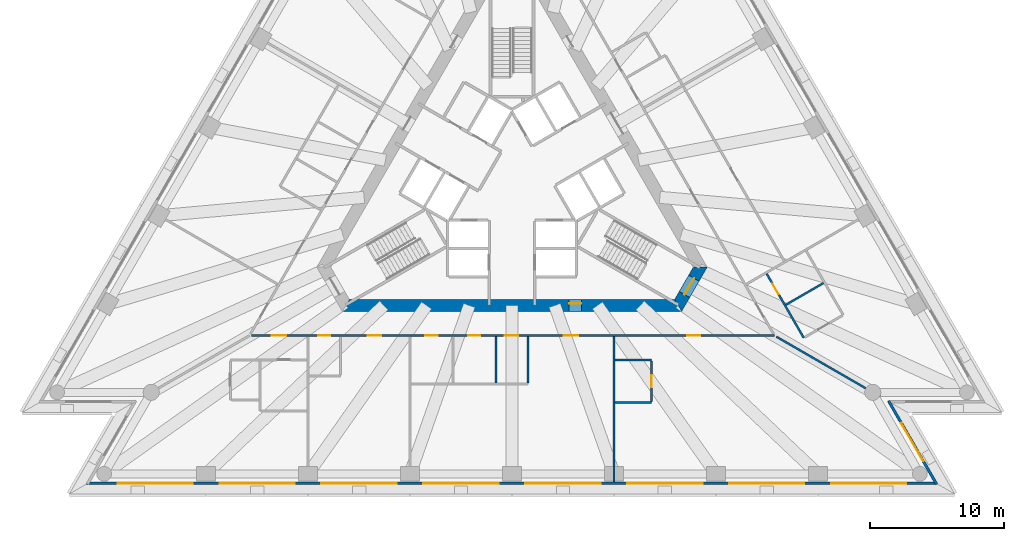
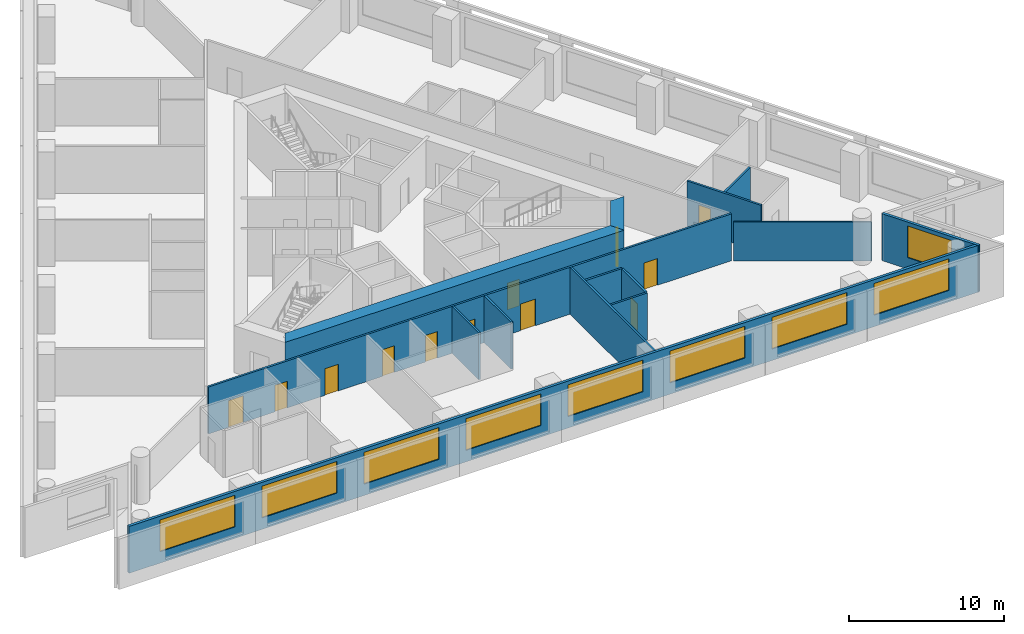
# One storey, part 5 of 11: 14 walls, 12 doors, 9 windows, 21 openings.
"""IFC4 building model written with IfcOpenShell, lengths in metres."""

from ifc_helpers import new_model, si_unit, direction, frame, frame_2d, origin, place, context, subcontext, project, spatial, polyline, rectangle, outline, extrude, material, layer, layer_set, layer_usage, type_object, element, fill, save


model = new_model("IFC4")

# Units and contexts
model_context = context("Model", 3, precision=1e-05, world=origin(), true_north=direction((0.0, 1.0)))
body_context = subcontext(model_context, "Body", "Model", "MODEL_VIEW")
ifc_project = project(units=[si_unit("LENGTHUNIT", "METRE"), si_unit("AREAUNIT", "SQUARE_METRE"), si_unit("VOLUMEUNIT", "CUBIC_METRE"), si_unit("PLANEANGLEUNIT", "RADIAN"), si_unit("MASSUNIT", "GRAM", prefix="KILO")], contexts=[model_context])

# Site, building, storey
site_placement = place(None, origin())
site = spatial("IfcSite", under=ifc_project, at=site_placement, CompositionType="ELEMENT")
building_placement = place(site_placement, origin())
building = spatial("IfcBuilding", under=site, at=building_placement, Name="Triada Interchange Tower", CompositionType="ELEMENT")
storey_placement = place(building_placement, frame((0.0, 0.0, 35.300048828125)))
storey = spatial("IfcBuildingStorey", under=building, at=storey_placement, Name="L06", CompositionType="ELEMENT", Elevation=35.300048828125)

# Wall, opening, door
ifc_material_1 = material(Name="Concrete C70/85", Category="concrete")
ifc_layer_1 = layer(ifc_material_1, 0.89990234375)
ifc_layer_set_1 = layer_set([ifc_layer_1], Name="Core wall A 900")
wall_type_1 = type_object("IfcWallType", Name="Core wall A 900", PredefinedType="SHEAR", material=ifc_layer_set_1)
wall_1_placement = place(storey_placement, frame((-12.384033203125, -9.050048828125, -0.300048828125), z_axis=(0.0, 0.0, 1.0), x_axis=(1.0, 0.0, 0.0)))
wall_1 = element("IfcWall", 1, at=wall_1_placement, inside=storey, type_object=wall_type_1, Name="Core wall WA04 L06", PredefinedType="SHEAR", context=body_context, shape_type="SweptSolid", body=[
    extrude(outline(polyline([(-0.260009765625, -0.449951171875), (1.685302734375, -0.449951171875), (3.63037109375, -0.449951171875), (5.57568359375, -0.449951171875), (7.52099609375, -0.449951171875), (9.466064453125, -0.449951171875), (11.411376953125, -0.449951171875), (13.356689453125, -0.449951171875), (15.302001953125, -0.449951171875), (17.2470703125, -0.449951171875), (19.1923828125, -0.449951171875), (21.1376953125, -0.449951171875), (23.082763671875, -0.449951171875), (25.028076171875, -0.449951171875), (24.508056640625, 0.449951171875), (22.642822265625, 0.449951171875), (20.777587890625, 0.449951171875), (18.912353515625, 0.449951171875), (17.047119140625, 0.449951171875), (15.181884765625, 0.449951171875), (13.316650390625, 0.449951171875), (11.451416015625, 0.449951171875), (9.586181640625, 0.449951171875), (7.720947265625, 0.449951171875), (5.855712890625, 0.449951171875), (3.990478515625, 0.449951171875), (2.125244140625, 0.449951171875), (0.260009765625, 0.449951171875), (-0.260009765625, -0.449951171875)])), origin(), (0.0, 0.0, 1.0), 4.0),
])
opening_1_placement = place(wall_1_placement, frame((16.64794921875, 0.0, 0.300048828125)))
opening_1 = element("IfcOpeningElement", 2, at=opening_1_placement, cuts=wall_1, Name="Opening D06-45", PredefinedType="OPENING", context=body_context, shape_type="SweptSolid", body=[
    extrude(rectangle(XDim=0.89990234375, YDim=2.10009765625, at=frame_2d((0.449951171875, 1.050048828125))), frame((0.0, 0.4599609375, 0.0), z_axis=(0.0, -1.0, 0.0), x_axis=(1.0, 0.0, 0.0)), (0.0, 0.0, 1.0), 0.919921875),
])
ifc_material_2 = material(Name="Steel S235 door leaf", Category="steel")
door_type_1 = type_object("IfcDoorType", Name="SERVICE DOOR 900 EI2 45-C5S200", OperationType="NOTDEFINED", PredefinedType="DOOR", material=ifc_material_2)
door_1_placement = place(opening_1_placement, origin())
door_1 = element("IfcDoor", 3, at=door_1_placement, inside=storey, type_object=door_type_1, Name="Door D06-45 L06", OperationType="SINGLE_SWING_LEFT", OverallHeight=2.10009765625, OverallWidth=0.89990234375, PredefinedType="DOOR", context=body_context, shape_type="SweptSolid", body=[
    extrude(rectangle(XDim=0.89990234375, YDim=2.10009765625, at=frame_2d((0.449951171875, 1.050048828125))), frame((0.0, 0.1748046875, 0.0), z_axis=(0.0, -1.0, 0.0), x_axis=(1.0, 0.0, 0.0)), (0.0, 0.0, 1.0), 0.050048828125),
])
fill(opening_1, door_1)

wall_2_placement = place(storey_placement, frame((12.384033203125, -9.050048828125, -0.300048828125), z_axis=(0.0, 0.0, 1.0), x_axis=(0.500111984565, 0.865960739811, 0.0)))
wall_2 = element("IfcWall", 4, at=wall_2_placement, inside=storey, type_object=wall_type_1, Name="Core wall WA05 L06", PredefinedType="SHEAR", context=body_context, shape_type="SweptSolid", body=[
    extrude(outline(polyline([(-0.260009765625, -0.449951171875), (1.6455078125, -0.449462890625), (3.551025390625, -0.448974609375), (3.031005859375, 0.449951171875), (1.6455078125, 0.449951171875), (0.260009765625, 0.449951171875), (-0.260009765625, -0.449951171875)])), origin(), (0.0, 0.0, 1.0), 4.0),
])
opening_2_placement = place(wall_2_placement, frame((0.946044921875, 0.0, 0.300048828125)))
opening_2 = element("IfcOpeningElement", 5, at=opening_2_placement, cuts=wall_2, Name="Opening D06-43", PredefinedType="OPENING", context=body_context, shape_type="SweptSolid", body=[
    extrude(rectangle(XDim=1.39990234375, YDim=2.10009765625, at=frame_2d((0.699951171875, 1.050048828125))), frame((0.0, 0.4599609375, 0.0), z_axis=(0.0, -1.0, 0.0), x_axis=(1.0, 0.0, 0.0)), (0.0, 0.0, 1.0), 0.919921875),
])
door_type_2 = type_object("IfcDoorType", Name="STAIR DOOR 1400 EI2 90-C5S200", OperationType="DOUBLE_DOOR_SINGLE_SWING", PredefinedType="DOOR", material=ifc_material_2)
door_2_placement = place(opening_2_placement, origin())
door_2 = element("IfcDoor", 6, at=door_2_placement, inside=storey, type_object=door_type_2, Name="Door D06-43 L06", OperationType="DOUBLE_DOOR_SINGLE_SWING", OverallHeight=2.10009765625, OverallWidth=1.39990234375, PredefinedType="DOOR", context=body_context, shape_type="SweptSolid", body=[
    extrude(rectangle(XDim=1.39990234375, YDim=2.10009765625, at=frame_2d((0.699951171875, 1.050048828125))), frame((0.0, 0.02490234375, 0.0), z_axis=(0.0, -1.0, 0.0), x_axis=(1.0, 0.0, 0.0)), (0.0, 0.0, 1.0), 0.050048828125),
])
fill(opening_2, door_2)

# Wall, openings, windows
ifc_material_3 = material(Name="Cement board")
ifc_layer_2 = layer(ifc_material_3, 0.02001953125, Name="Cement board cladding")
ifc_material_4 = material(Name="Sheathing board")
ifc_layer_3 = layer(ifc_material_4, 0.014892578125, Name="Sheathing board")
ifc_material_5 = material(Name="Mineral wool")
ifc_layer_4 = layer(ifc_material_5, 0.14990234375, Name="Mineral wool between steel studs")
ifc_material_6 = material(Name="Gypsum board")
ifc_layer_5 = layer(ifc_material_6, 0.014892578125, Name="Plasterboard lining")
ifc_layer_set_2 = layer_set([ifc_layer_2, ifc_layer_3, ifc_layer_4, ifc_layer_5], Name="External wall 200")
ifc_layer_usage = layer_usage(ifc_layer_set_2, "AXIS2", "POSITIVE", -0.10009765625)
wall_type_2 = type_object("IfcWallType", Name="External wall 200", PredefinedType="ELEMENTEDWALL", material=ifc_layer_set_2)
wall_3_placement = place(storey_placement, frame((-31.699951171875, -22.300048828125, 0.0), z_axis=(0.0, 0.0, 1.0), x_axis=(1.0, 0.0, 0.0)))
wall_3 = element("IfcWall", 7, at=wall_3_placement, inside=storey, type_object=wall_type_2, material=ifc_layer_usage, Name="External wall L06 S", PredefinedType="ELEMENTEDWALL", context=body_context, shape_type="SweptSolid", body=[
    extrude(rectangle(XDim=63.3798828125, YDim=0.199951171875, at=frame_2d((31.68994140625, 0.0))), origin(), (0.0, 0.0, 1.0), 3.699951171875),
])
opening_3_placement = place(wall_3_placement, frame((2.302978515625, 0.0, 0.89990234375)))
opening_3 = element("IfcOpeningElement", 8, at=opening_3_placement, cuts=wall_3, Name="Opening WA11", PredefinedType="OPENING", context=body_context, shape_type="SweptSolid", body=[
    extrude(rectangle(XDim=5.60009765625, YDim=2.5, at=frame_2d((2.800048828125, 1.25))), frame((0.0, 0.10986328125, 0.0), z_axis=(0.0, -1.0, 0.0), x_axis=(1.0, 0.0, 0.0)), (0.0, 0.0, 1.0), 0.219970703125),
])
opening_4_placement = place(wall_3_placement, frame((9.902099609375, 0.0, 0.89990234375)))
opening_4 = element("IfcOpeningElement", 9, at=opening_4_placement, cuts=wall_3, Name="Opening WA12", PredefinedType="OPENING", context=body_context, shape_type="SweptSolid", body=[
    extrude(rectangle(XDim=5.60009765625, YDim=2.5, at=frame_2d((2.800048828125, 1.25))), frame((0.0, 0.10986328125, 0.0), z_axis=(0.0, -1.0, 0.0), x_axis=(1.0, 0.0, 0.0)), (0.0, 0.0, 1.0), 0.219970703125),
])
opening_5_placement = place(wall_3_placement, frame((17.5009765625, 0.0, 0.89990234375)))
opening_5 = element("IfcOpeningElement", 10, at=opening_5_placement, cuts=wall_3, Name="Opening WA13", PredefinedType="OPENING", context=body_context, shape_type="SweptSolid", body=[
    extrude(rectangle(XDim=5.60009765625, YDim=2.5, at=frame_2d((2.800048828125, 1.25))), frame((0.0, 0.10986328125, 0.0), z_axis=(0.0, -1.0, 0.0), x_axis=(1.0, 0.0, 0.0)), (0.0, 0.0, 1.0), 0.219970703125),
])
opening_6_placement = place(wall_3_placement, frame((25.10009765625, 0.0, 0.89990234375)))
opening_6 = element("IfcOpeningElement", 11, at=opening_6_placement, cuts=wall_3, Name="Opening WA14", PredefinedType="OPENING", context=body_context, shape_type="SweptSolid", body=[
    extrude(rectangle(XDim=5.60009765625, YDim=2.5, at=frame_2d((2.800048828125, 1.25))), frame((0.0, 0.10986328125, 0.0), z_axis=(0.0, -1.0, 0.0), x_axis=(1.0, 0.0, 0.0)), (0.0, 0.0, 1.0), 0.219970703125),
])
opening_7_placement = place(wall_3_placement, frame((32.699951171875, 0.0, 0.89990234375)))
opening_7 = element("IfcOpeningElement", 12, at=opening_7_placement, cuts=wall_3, Name="Opening WA15", PredefinedType="OPENING", context=body_context, shape_type="SweptSolid", body=[
    extrude(rectangle(XDim=5.60009765625, YDim=2.5, at=frame_2d((2.800048828125, 1.25))), frame((0.0, 0.10986328125, 0.0), z_axis=(0.0, -1.0, 0.0), x_axis=(1.0, 0.0, 0.0)), (0.0, 0.0, 1.0), 0.219970703125),
])
opening_8_placement = place(wall_3_placement, frame((40.299072265625, 0.0, 0.89990234375)))
opening_8 = element("IfcOpeningElement", 13, at=opening_8_placement, cuts=wall_3, Name="Opening WA16", PredefinedType="OPENING", context=body_context, shape_type="SweptSolid", body=[
    extrude(rectangle(XDim=5.60009765625, YDim=2.5, at=frame_2d((2.800048828125, 1.25))), frame((0.0, 0.10986328125, 0.0), z_axis=(0.0, -1.0, 0.0), x_axis=(1.0, 0.0, 0.0)), (0.0, 0.0, 1.0), 0.219970703125),
])
opening_9_placement = place(wall_3_placement, frame((47.89794921875, 0.0, 0.89990234375)))
opening_9 = element("IfcOpeningElement", 14, at=opening_9_placement, cuts=wall_3, Name="Opening WA17", PredefinedType="OPENING", context=body_context, shape_type="SweptSolid", body=[
    extrude(rectangle(XDim=5.60009765625, YDim=2.5, at=frame_2d((2.800048828125, 1.25))), frame((0.0, 0.10986328125, 0.0), z_axis=(0.0, -1.0, 0.0), x_axis=(1.0, 0.0, 0.0)), (0.0, 0.0, 1.0), 0.219970703125),
])
opening_10_placement = place(wall_3_placement, frame((55.4970703125, 0.0, 0.89990234375)))
opening_10 = element("IfcOpeningElement", 15, at=opening_10_placement, cuts=wall_3, Name="Opening WA18", PredefinedType="OPENING", context=body_context, shape_type="SweptSolid", body=[
    extrude(rectangle(XDim=5.60009765625, YDim=2.5, at=frame_2d((2.800048828125, 1.25))), frame((0.0, 0.10986328125, 0.0), z_axis=(0.0, -1.0, 0.0), x_axis=(1.0, 0.0, 0.0)), (0.0, 0.0, 1.0), 0.219970703125),
])
ifc_material_7 = material(Name="Double glazed aluminium window", Category="aluminium")
window_type_1 = type_object("IfcWindowType", Name="Ribbon window A face", PartitioningType="SINGLE_PANEL", PredefinedType="WINDOW", material=ifc_material_7)
window_1_placement = place(opening_3_placement, origin())
window_1 = element("IfcWindow", 16, at=window_1_placement, inside=storey, type_object=window_type_1, Name="Window L06 S 1", OverallHeight=2.5, OverallWidth=5.60009765625, PartitioningType="SINGLE_PANEL", PredefinedType="WINDOW", context=body_context, shape_type="SweptSolid", body=[
    extrude(rectangle(XDim=5.60009765625, YDim=2.5, at=frame_2d((2.800048828125, 1.25))), frame((0.0, 0.030029296875, 0.0), z_axis=(0.0, -1.0, 0.0), x_axis=(1.0, 0.0, 0.0)), (0.0, 0.0, 1.0), 0.06005859375),
])
fill(opening_3, window_1)
window_2_placement = place(opening_4_placement, origin())
window_2 = element("IfcWindow", 17, at=window_2_placement, inside=storey, type_object=window_type_1, Name="Window L06 S 2", OverallHeight=2.5, OverallWidth=5.60009765625, PartitioningType="SINGLE_PANEL", PredefinedType="WINDOW", context=body_context, shape_type="SweptSolid", body=[
    extrude(rectangle(XDim=5.60009765625, YDim=2.5, at=frame_2d((2.800048828125, 1.25))), frame((0.0, 0.030029296875, 0.0), z_axis=(0.0, -1.0, 0.0), x_axis=(1.0, 0.0, 0.0)), (0.0, 0.0, 1.0), 0.06005859375),
])
fill(opening_4, window_2)
window_3_placement = place(opening_5_placement, origin())
window_3 = element("IfcWindow", 18, at=window_3_placement, inside=storey, type_object=window_type_1, Name="Window L06 S 3", OverallHeight=2.5, OverallWidth=5.60009765625, PartitioningType="SINGLE_PANEL", PredefinedType="WINDOW", context=body_context, shape_type="SweptSolid", body=[
    extrude(rectangle(XDim=5.60009765625, YDim=2.5, at=frame_2d((2.800048828125, 1.25))), frame((0.0, 0.030029296875, 0.0), z_axis=(0.0, -1.0, 0.0), x_axis=(1.0, 0.0, 0.0)), (0.0, 0.0, 1.0), 0.06005859375),
])
fill(opening_5, window_3)
window_4_placement = place(opening_6_placement, origin())
window_4 = element("IfcWindow", 19, at=window_4_placement, inside=storey, type_object=window_type_1, Name="Window L06 S 4", OverallHeight=2.5, OverallWidth=5.60009765625, PartitioningType="SINGLE_PANEL", PredefinedType="WINDOW", context=body_context, shape_type="SweptSolid", body=[
    extrude(rectangle(XDim=5.60009765625, YDim=2.5, at=frame_2d((2.800048828125, 1.25))), frame((0.0, 0.030029296875, 0.0), z_axis=(0.0, -1.0, 0.0), x_axis=(1.0, 0.0, 0.0)), (0.0, 0.0, 1.0), 0.06005859375),
])
fill(opening_6, window_4)
window_5_placement = place(opening_7_placement, origin())
window_5 = element("IfcWindow", 20, at=window_5_placement, inside=storey, type_object=window_type_1, Name="Window L06 S 5", OverallHeight=2.5, OverallWidth=5.60009765625, PartitioningType="SINGLE_PANEL", PredefinedType="WINDOW", context=body_context, shape_type="SweptSolid", body=[
    extrude(rectangle(XDim=5.60009765625, YDim=2.5, at=frame_2d((2.800048828125, 1.25))), frame((0.0, 0.030029296875, 0.0), z_axis=(0.0, -1.0, 0.0), x_axis=(1.0, 0.0, 0.0)), (0.0, 0.0, 1.0), 0.06005859375),
])
fill(opening_7, window_5)
window_6_placement = place(opening_8_placement, origin())
window_6 = element("IfcWindow", 21, at=window_6_placement, inside=storey, type_object=window_type_1, Name="Window L06 S 6", OverallHeight=2.5, OverallWidth=5.60009765625, PartitioningType="SINGLE_PANEL", PredefinedType="WINDOW", context=body_context, shape_type="SweptSolid", body=[
    extrude(rectangle(XDim=5.60009765625, YDim=2.5, at=frame_2d((2.800048828125, 1.25))), frame((0.0, 0.030029296875, 0.0), z_axis=(0.0, -1.0, 0.0), x_axis=(1.0, 0.0, 0.0)), (0.0, 0.0, 1.0), 0.06005859375),
])
fill(opening_8, window_6)
window_7_placement = place(opening_9_placement, origin())
window_7 = element("IfcWindow", 22, at=window_7_placement, inside=storey, type_object=window_type_1, Name="Window L06 S 7", OverallHeight=2.5, OverallWidth=5.60009765625, PartitioningType="SINGLE_PANEL", PredefinedType="WINDOW", context=body_context, shape_type="SweptSolid", body=[
    extrude(rectangle(XDim=5.60009765625, YDim=2.5, at=frame_2d((2.800048828125, 1.25))), frame((0.0, 0.030029296875, 0.0), z_axis=(0.0, -1.0, 0.0), x_axis=(1.0, 0.0, 0.0)), (0.0, 0.0, 1.0), 0.06005859375),
])
fill(opening_9, window_7)
window_8_placement = place(opening_10_placement, origin())
window_8 = element("IfcWindow", 23, at=window_8_placement, inside=storey, type_object=window_type_1, Name="Window L06 S 8", OverallHeight=2.5, OverallWidth=5.60009765625, PartitioningType="SINGLE_PANEL", PredefinedType="WINDOW", context=body_context, shape_type="SweptSolid", body=[
    extrude(rectangle(XDim=5.60009765625, YDim=2.5, at=frame_2d((2.800048828125, 1.25))), frame((0.0, 0.030029296875, 0.0), z_axis=(0.0, -1.0, 0.0), x_axis=(1.0, 0.0, 0.0)), (0.0, 0.0, 1.0), 0.06005859375),
])
fill(opening_10, window_8)

# Wall, opening, window
wall_4_placement = place(storey_placement, frame((31.655029296875, -22.3779296875, 0.0), z_axis=(0.0, 0.0, 1.0), x_axis=(-0.499930606701, 0.866065464318, 0.0)))
wall_4 = element("IfcWall", 24, at=wall_4_placement, inside=storey, type_object=wall_type_2, material=ifc_layer_usage, Name="External wall L06 SE-1", PredefinedType="ELEMENTEDWALL", context=body_context, shape_type="SweptSolid", body=[
    extrude(rectangle(XDim=7.1748046875, YDim=0.199951171875, at=frame_2d((3.58740234375, 0.0))), origin(), (0.0, 0.0, 1.0), 3.699951171875),
])
opening_11_placement = place(wall_4_placement, frame((1.989990234375, 0.0, 0.89990234375)))
opening_11 = element("IfcOpeningElement", 25, at=opening_11_placement, cuts=wall_4, Name="Opening WA19", PredefinedType="OPENING", context=body_context, shape_type="SweptSolid", body=[
    extrude(rectangle(XDim=3.300048828125, YDim=2.5, at=frame_2d((1.64990234375, 1.25))), frame((0.0, 0.10986328125, 0.0), z_axis=(0.0, -1.0, 0.0), x_axis=(1.0, 0.0, 0.0)), (0.0, 0.0, 1.0), 0.219970703125),
])
window_type_2 = type_object("IfcWindowType", Name="Ribbon window A pocket", PartitioningType="SINGLE_PANEL", PredefinedType="WINDOW", material=ifc_material_7)
window_9_placement = place(opening_11_placement, origin())
window_9 = element("IfcWindow", 26, at=window_9_placement, inside=storey, type_object=window_type_2, Name="Window L06 SE-1 1", OverallHeight=2.5, OverallWidth=3.300048828125, PartitioningType="SINGLE_PANEL", PredefinedType="WINDOW", context=body_context, shape_type="SweptSolid", body=[
    extrude(rectangle(XDim=3.300048828125, YDim=2.5, at=frame_2d((1.64990234375, 1.25))), frame((0.0, 0.030029296875, 0.0), z_axis=(0.0, -1.0, 0.0), x_axis=(1.0, 0.0, 0.0)), (0.0, 0.0, 1.0), 0.06005859375),
])
fill(opening_11, window_9)

# Wall, openings, doors
ifc_material_8 = material(Name="Gypsum board partition")
ifc_layer_6 = layer(ifc_material_8, 0.14990234375)
ifc_layer_set_3 = layer_set([ifc_layer_6], Name="PARTITION 150 EI 180")
wall_type_3 = type_object("IfcWallType", Name="PARTITION 150 EI 180", PredefinedType="PARTITIONING", material=ifc_layer_set_3)
wall_5_placement = place(storey_placement, frame((-19.422119140625, -11.300048828125, 0.0), z_axis=(0.0, 0.0, 1.0), x_axis=(1.0, 0.0, 0.0)))
wall_5 = element("IfcWall", 27, at=wall_5_placement, inside=storey, type_object=wall_type_3, Name="Wall L06 5", PredefinedType="PARTITIONING", context=body_context, shape_type="SweptSolid", body=[
    extrude(rectangle(XDim=38.994140625, YDim=0.14990234375, at=frame_2d((19.4970703125, 0.0))), origin(), (0.0, 0.0, 1.0), 3.699951171875),
])
opening_12_placement = place(wall_5_placement, frame((1.5, 0.0, 0.0)))
opening_12 = element("IfcOpeningElement", 28, at=opening_12_placement, cuts=wall_5, Name="Opening D06-11", PredefinedType="OPENING", context=body_context, shape_type="SweptSolid", body=[
    extrude(rectangle(XDim=1.10009765625, YDim=2.10009765625, at=frame_2d((0.550048828125, 1.050048828125))), frame((0.0, 0.0849609375, 0.0), z_axis=(0.0, -1.0, 0.0), x_axis=(1.0, 0.0, 0.0)), (0.0, 0.0, 1.0), 0.169921875),
])
opening_13_placement = place(wall_5_placement, frame((8.674072265625, 0.0, 0.0)))
opening_13 = element("IfcOpeningElement", 29, at=opening_13_placement, cuts=wall_5, Name="Opening D06-14", PredefinedType="OPENING", context=body_context, shape_type="SweptSolid", body=[
    extrude(rectangle(XDim=1.0, YDim=2.10009765625, at=frame_2d((0.5, 1.050048828125))), frame((0.0, 0.0849609375, 0.0), z_axis=(0.0, -1.0, 0.0), x_axis=(1.0, 0.0, 0.0)), (0.0, 0.0, 1.0), 0.169921875),
])
opening_14_placement = place(wall_5_placement, frame((4.97412109375, 0.0, 0.0)))
opening_14 = element("IfcOpeningElement", 30, at=opening_14_placement, cuts=wall_5, Name="Opening D06-15", PredefinedType="OPENING", context=body_context, shape_type="SweptSolid", body=[
    extrude(rectangle(XDim=0.89990234375, YDim=2.10009765625, at=frame_2d((0.449951171875, 1.050048828125))), frame((0.0, 0.0849609375, 0.0), z_axis=(0.0, -1.0, 0.0), x_axis=(1.0, 0.0, 0.0)), (0.0, 0.0, 1.0), 0.169921875),
])
opening_15_placement = place(wall_5_placement, frame((23.27294921875, 0.0, 0.0)))
opening_15 = element("IfcOpeningElement", 31, at=opening_15_placement, cuts=wall_5, Name="Opening D06-16", PredefinedType="OPENING", context=body_context, shape_type="SweptSolid", body=[
    extrude(rectangle(XDim=1.10009765625, YDim=2.10009765625, at=frame_2d((0.550048828125, 1.050048828125))), frame((0.0, 0.0849609375, 0.0), z_axis=(0.0, -1.0, 0.0), x_axis=(1.0, 0.0, 0.0)), (0.0, 0.0, 1.0), 0.169921875),
])
opening_16_placement = place(wall_5_placement, frame((12.972900390625, 0.0, 0.0)))
opening_16 = element("IfcOpeningElement", 32, at=opening_16_placement, cuts=wall_5, Name="Opening D06-17", PredefinedType="OPENING", context=body_context, shape_type="SweptSolid", body=[
    extrude(rectangle(XDim=0.89990234375, YDim=2.10009765625, at=frame_2d((0.449951171875, 1.050048828125))), frame((0.0, 0.0849609375, 0.0), z_axis=(0.0, -1.0, 0.0), x_axis=(1.0, 0.0, 0.0)), (0.0, 0.0, 1.0), 0.169921875),
])
opening_17_placement = place(wall_5_placement, frame((16.173095703125, 0.0, 0.0)))
opening_17 = element("IfcOpeningElement", 33, at=opening_17_placement, cuts=wall_5, Name="Opening D06-18", PredefinedType="OPENING", context=body_context, shape_type="SweptSolid", body=[
    extrude(rectangle(XDim=0.89990234375, YDim=2.10009765625, at=frame_2d((0.449951171875, 1.050048828125))), frame((0.0, 0.0849609375, 0.0), z_axis=(0.0, -1.0, 0.0), x_axis=(1.0, 0.0, 0.0)), (0.0, 0.0, 1.0), 0.169921875),
])
opening_18_placement = place(wall_5_placement, frame((18.873046875, 0.0, 0.0)))
opening_18 = element("IfcOpeningElement", 34, at=opening_18_placement, cuts=wall_5, Name="Opening D06-19", PredefinedType="OPENING", context=body_context, shape_type="SweptSolid", body=[
    extrude(rectangle(XDim=1.0, YDim=2.10009765625, at=frame_2d((0.5, 1.050048828125))), frame((0.0, 0.0849609375, 0.0), z_axis=(0.0, -1.0, 0.0), x_axis=(1.0, 0.0, 0.0)), (0.0, 0.0, 1.0), 0.169921875),
])
opening_19_placement = place(wall_5_placement, frame((32.470947265625, 0.0, 0.0)))
opening_19 = element("IfcOpeningElement", 35, at=opening_19_placement, cuts=wall_5, Name="Opening D06-20", PredefinedType="OPENING", context=body_context, shape_type="SweptSolid", body=[
    extrude(rectangle(XDim=1.0, YDim=2.10009765625, at=frame_2d((0.5, 1.050048828125))), frame((0.0, 0.0849609375, 0.0), z_axis=(0.0, -1.0, 0.0), x_axis=(1.0, 0.0, 0.0)), (0.0, 0.0, 1.0), 0.169921875),
])
door_type_3 = type_object("IfcDoorType", Name="ROOM DOOR 1000 EI2 90-C5S200", OperationType="NOTDEFINED", PredefinedType="DOOR", material=ifc_material_2)
door_3_placement = place(opening_13_placement, origin())
door_3 = element("IfcDoor", 36, at=door_3_placement, inside=storey, type_object=door_type_3, Name="Door D06-14 L06", OperationType="SINGLE_SWING_LEFT", OverallHeight=2.10009765625, OverallWidth=1.0, PredefinedType="DOOR", context=body_context, shape_type="SweptSolid", body=[
    extrude(rectangle(XDim=1.0, YDim=2.10009765625, at=frame_2d((0.5, 1.050048828125))), frame((0.0, 0.02490234375, 0.0), z_axis=(0.0, -1.0, 0.0), x_axis=(1.0, 0.0, 0.0)), (0.0, 0.0, 1.0), 0.050048828125),
])
fill(opening_13, door_3)
door_4_placement = place(opening_18_placement, origin())
door_4 = element("IfcDoor", 37, at=door_4_placement, inside=storey, type_object=door_type_3, Name="Door D06-19 L06", OperationType="SINGLE_SWING_LEFT", OverallHeight=2.10009765625, OverallWidth=1.0, PredefinedType="DOOR", context=body_context, shape_type="SweptSolid", body=[
    extrude(rectangle(XDim=1.0, YDim=2.10009765625, at=frame_2d((0.5, 1.050048828125))), frame((0.0, 0.02490234375, 0.0), z_axis=(0.0, -1.0, 0.0), x_axis=(1.0, 0.0, 0.0)), (0.0, 0.0, 1.0), 0.050048828125),
])
fill(opening_18, door_4)
door_5_placement = place(opening_19_placement, origin())
door_5 = element("IfcDoor", 38, at=door_5_placement, inside=storey, type_object=door_type_3, Name="Door D06-20 L06", OperationType="SINGLE_SWING_LEFT", OverallHeight=2.10009765625, OverallWidth=1.0, PredefinedType="DOOR", context=body_context, shape_type="SweptSolid", body=[
    extrude(rectangle(XDim=1.0, YDim=2.10009765625, at=frame_2d((0.5, 1.050048828125))), frame((0.0, 0.02490234375, 0.0), z_axis=(0.0, -1.0, 0.0), x_axis=(1.0, 0.0, 0.0)), (0.0, 0.0, 1.0), 0.050048828125),
])
fill(opening_19, door_5)
door_type_4 = type_object("IfcDoorType", Name="ROOM DOOR 900 EI2 90-C5S200", OperationType="NOTDEFINED", PredefinedType="DOOR", material=ifc_material_2)
door_6_placement = place(opening_16_placement, origin())
door_6 = element("IfcDoor", 39, at=door_6_placement, inside=storey, type_object=door_type_4, Name="Door D06-17 L06", OperationType="SINGLE_SWING_RIGHT", OverallHeight=2.10009765625, OverallWidth=0.89990234375, PredefinedType="DOOR", context=body_context, shape_type="SweptSolid", body=[
    extrude(rectangle(XDim=0.89990234375, YDim=2.10009765625, at=frame_2d((0.449951171875, 1.050048828125))), frame((0.0, 0.02490234375, 0.0), z_axis=(0.0, -1.0, 0.0), x_axis=(1.0, 0.0, 0.0)), (0.0, 0.0, 1.0), 0.050048828125),
])
fill(opening_16, door_6)
door_7_placement = place(opening_17_placement, origin())
door_7 = element("IfcDoor", 40, at=door_7_placement, inside=storey, type_object=door_type_4, Name="Door D06-18 L06", OperationType="SINGLE_SWING_RIGHT", OverallHeight=2.10009765625, OverallWidth=0.89990234375, PredefinedType="DOOR", context=body_context, shape_type="SweptSolid", body=[
    extrude(rectangle(XDim=0.89990234375, YDim=2.10009765625, at=frame_2d((0.449951171875, 1.050048828125))), frame((0.0, 0.02490234375, 0.0), z_axis=(0.0, -1.0, 0.0), x_axis=(1.0, 0.0, 0.0)), (0.0, 0.0, 1.0), 0.050048828125),
])
fill(opening_17, door_7)
door_type_5 = type_object("IfcDoorType", Name="SERVICE DOOR 900 EI2 90-C5S200", OperationType="NOTDEFINED", PredefinedType="DOOR", material=ifc_material_2)
door_8_placement = place(opening_14_placement, origin())
door_8 = element("IfcDoor", 41, at=door_8_placement, inside=storey, type_object=door_type_5, Name="Door D06-15 L06", OperationType="SINGLE_SWING_RIGHT", OverallHeight=2.10009765625, OverallWidth=0.89990234375, PredefinedType="DOOR", context=body_context, shape_type="SweptSolid", body=[
    extrude(rectangle(XDim=0.89990234375, YDim=2.10009765625, at=frame_2d((0.449951171875, 1.050048828125))), frame((0.0, 0.02490234375, 0.0), z_axis=(0.0, -1.0, 0.0), x_axis=(1.0, 0.0, 0.0)), (0.0, 0.0, 1.0), 0.050048828125),
])
fill(opening_14, door_8)
door_type_6 = type_object("IfcDoorType", Name="TENANCY ENTRANCE DOOR 1100 EI2 90-C5S200", OperationType="NOTDEFINED", PredefinedType="DOOR", material=ifc_material_2)
door_9_placement = place(opening_12_placement, origin())
door_9 = element("IfcDoor", 42, at=door_9_placement, inside=storey, type_object=door_type_6, Name="Door D06-11 L06", OperationType="SINGLE_SWING_RIGHT", OverallHeight=2.10009765625, OverallWidth=1.10009765625, PredefinedType="DOOR", context=body_context, shape_type="SweptSolid", body=[
    extrude(rectangle(XDim=1.10009765625, YDim=2.10009765625, at=frame_2d((0.550048828125, 1.050048828125))), frame((0.0, 0.02490234375, 0.0), z_axis=(0.0, -1.0, 0.0), x_axis=(1.0, 0.0, 0.0)), (0.0, 0.0, 1.0), 0.050048828125),
])
fill(opening_12, door_9)
door_10_placement = place(opening_15_placement, origin())
door_10 = element("IfcDoor", 43, at=door_10_placement, inside=storey, type_object=door_type_6, Name="Door D06-16 L06", OperationType="SINGLE_SWING_RIGHT", OverallHeight=2.10009765625, OverallWidth=1.10009765625, PredefinedType="DOOR", context=body_context, shape_type="SweptSolid", body=[
    extrude(rectangle(XDim=1.10009765625, YDim=2.10009765625, at=frame_2d((0.550048828125, 1.050048828125))), frame((0.0, 0.02490234375, 0.0), z_axis=(0.0, -1.0, 0.0), x_axis=(1.0, 0.0, 0.0)), (0.0, 0.0, 1.0), 0.050048828125),
])
fill(opening_15, door_10)

# Walls
wall_6_placement = place(storey_placement, frame((19.701904296875, -11.375, 0.0), z_axis=(0.0, 0.0, 1.0), x_axis=(0.866031533484, -0.499989382899, 0.0)))
element("IfcWall", 44, at=wall_6_placement, inside=storey, type_object=wall_type_3, Name="Wall L06 7", PredefinedType="PARTITIONING", context=body_context, shape_type="SweptSolid", body=[
    extrude(rectangle(XDim=8.920166015625, YDim=0.14990234375, at=frame_2d((4.4599609375, 0.0))), origin(), (0.0, 0.0, 1.0), 3.050048828125),
])
for number, where, z_axis, x_axis, name in (
    (45, (1.200927734375, -14.824951171875, 0.0), (0.0, 0.0, 1.0), (0.0, 1.0, 0.0), "Wall L06 22"),
    (46, (-1.198974609375, -14.824951171875, 0.0), (0.0, 0.0, 1.0), (0.0, 1.0, 0.0), "Wall L06 23"),
):
    element("IfcWall", number, at=place(storey_placement, frame(where, z_axis=z_axis, x_axis=x_axis)), inside=storey, type_object=wall_type_3, Name=name, PredefinedType="PARTITIONING", context=body_context, shape_type="SweptSolid", body=[
        extrude(rectangle(XDim=3.449951171875, YDim=0.14990234375, at=frame_2d((1.72509765625, 0.0))), origin(), (0.0, 0.0, 1.0), 3.699951171875),
    ])
wall_7_placement = place(storey_placement, frame((7.59912109375, -22.219970703125, 0.0), z_axis=(0.0, 0.0, 1.0), x_axis=(0.0, 1.0, 0.0)))
element("IfcWall", 47, at=wall_7_placement, inside=storey, type_object=wall_type_3, Name="Wall L06 29", PredefinedType="PARTITIONING", context=body_context, shape_type="SweptSolid", body=[
    extrude(rectangle(XDim=10.844970703125, YDim=0.14990234375, at=frame_2d((5.42236328125, 0.0))), origin(), (0.0, 0.0, 1.0), 3.699951171875),
])
ifc_layer_7 = layer(ifc_material_8, 0.14990234375)
ifc_layer_set_4 = layer_set([ifc_layer_7], Name="PARTITION 150 EI 90")
wall_type_4 = type_object("IfcWallType", Name="PARTITION 150 EI 90", PredefinedType="PARTITIONING", material=ifc_layer_set_4)
for number, where, z_axis, x_axis, name in (
    (48, (7.674072265625, -13.10009765625, 0.0), (0.0, 0.0, 1.0), (1.0, 0.0, 0.0), "Wall L06 35"),
    (49, (7.674072265625, -16.300048828125, 0.0), (0.0, 0.0, 1.0), (1.0, 0.0, 0.0), "Wall L06 39"),
):
    element("IfcWall", number, at=place(storey_placement, frame(where, z_axis=z_axis, x_axis=x_axis)), inside=storey, type_object=wall_type_4, Name=name, PredefinedType="PARTITIONING", context=body_context, shape_type="SweptSolid", body=[
        extrude(rectangle(XDim=2.724853515625, YDim=0.14990234375, at=frame_2d((1.3623046875, 0.0))), origin(), (0.0, 0.0, 1.0), 3.699951171875),
    ])

# Wall, opening, door
wall_8_placement = place(storey_placement, frame((10.39892578125, -16.22509765625, 0.0), z_axis=(0.0, 0.0, 1.0), x_axis=(0.0, 1.0, 0.0)))
wall_8 = element("IfcWall", 50, at=wall_8_placement, inside=storey, type_object=wall_type_4, Name="Wall L06 40", PredefinedType="PARTITIONING", context=body_context, shape_type="SweptSolid", body=[
    extrude(rectangle(XDim=3.050048828125, YDim=0.14990234375, at=frame_2d((1.52490234375, 0.0))), origin(), (0.0, 0.0, 1.0), 3.699951171875),
])
opening_20_placement = place(wall_8_placement, frame((1.074951171875, 0.0, 0.0)))
opening_20 = element("IfcOpeningElement", 51, at=opening_20_placement, cuts=wall_8, Name="Opening D06-21", PredefinedType="OPENING", context=body_context, shape_type="SweptSolid", body=[
    extrude(rectangle(XDim=0.89990234375, YDim=2.10009765625, at=frame_2d((0.449951171875, 1.050048828125))), frame((0.0, 0.0849609375, 0.0), z_axis=(0.0, -1.0, 0.0), x_axis=(1.0, 0.0, 0.0)), (0.0, 0.0, 1.0), 0.169921875),
])
door_type_7 = type_object("IfcDoorType", Name="ROOM DOOR 900 EI2 45-C5S200", OperationType="NOTDEFINED", PredefinedType="DOOR", material=ifc_material_2)
door_11_placement = place(opening_20_placement, origin())
door_11 = element("IfcDoor", 52, at=door_11_placement, inside=storey, type_object=door_type_7, Name="Door D06-21 L06", OperationType="SINGLE_SWING_RIGHT", OverallHeight=2.10009765625, OverallWidth=0.89990234375, PredefinedType="DOOR", context=body_context, shape_type="SweptSolid", body=[
    extrude(rectangle(XDim=0.89990234375, YDim=2.10009765625, at=frame_2d((0.449951171875, 1.050048828125))), frame((0.0, 0.02490234375, 0.0), z_axis=(0.0, -1.0, 0.0), x_axis=(1.0, 0.0, 0.0)), (0.0, 0.0, 1.0), 0.050048828125),
])
fill(opening_20, door_11)

# Wall
wall_9_placement = place(storey_placement, frame((20.409912109375, -9.0, 0.0), z_axis=(0.0, 0.0, 1.0), x_axis=(0.86599666273, 0.500049777664, 0.0)))
element("IfcWall", 53, at=wall_9_placement, inside=storey, type_object=wall_type_4, Name="Wall L06 42", PredefinedType="PARTITIONING", context=body_context, shape_type="SweptSolid", body=[
    extrude(rectangle(XDim=3.249755859375, YDim=0.14990234375, at=frame_2d((1.625, 0.0))), origin(), (0.0, 0.0, 1.0), 3.699951171875),
])

# Wall, opening, door
wall_10_placement = place(storey_placement, frame((18.98193359375, -6.677978515625, 0.0), z_axis=(0.0, 0.0, 1.0), x_axis=(0.500083244257, -0.865977337356, 0.0)))
wall_10 = element("IfcWall", 54, at=wall_10_placement, inside=storey, type_object=wall_type_4, Name="Wall L06 44", PredefinedType="PARTITIONING", context=body_context, shape_type="SweptSolid", body=[
    extrude(rectangle(XDim=5.525390625, YDim=0.14990234375, at=frame_2d((2.7626953125, 0.0))), origin(), (0.0, 0.0, 1.0), 3.699951171875),
])
opening_21_placement = place(wall_10_placement, frame((0.875, 0.0, 0.0)))
opening_21 = element("IfcOpeningElement", 55, at=opening_21_placement, cuts=wall_10, Name="Opening D06-23", PredefinedType="OPENING", context=body_context, shape_type="SweptSolid", body=[
    extrude(rectangle(XDim=0.89990234375, YDim=2.10009765625, at=frame_2d((0.449951171875, 1.050048828125))), frame((0.0, 0.0849609375, 0.0), z_axis=(0.0, -1.0, 0.0), x_axis=(1.0, 0.0, 0.0)), (0.0, 0.0, 1.0), 0.169921875),
])
door_12_placement = place(opening_21_placement, origin())
door_12 = element("IfcDoor", 56, at=door_12_placement, inside=storey, type_object=door_type_7, Name="Door D06-23 L06", OperationType="SINGLE_SWING_LEFT", OverallHeight=2.10009765625, OverallWidth=0.89990234375, PredefinedType="DOOR", context=body_context, shape_type="SweptSolid", body=[
    extrude(rectangle(XDim=0.89990234375, YDim=2.10009765625, at=frame_2d((0.449951171875, 1.050048828125))), frame((0.0, 0.02490234375, 0.0), z_axis=(0.0, -1.0, 0.0), x_axis=(1.0, 0.0, 0.0)), (0.0, 0.0, 1.0), 0.050048828125),
])
fill(opening_21, door_12)

save(model, "model.ifc")
